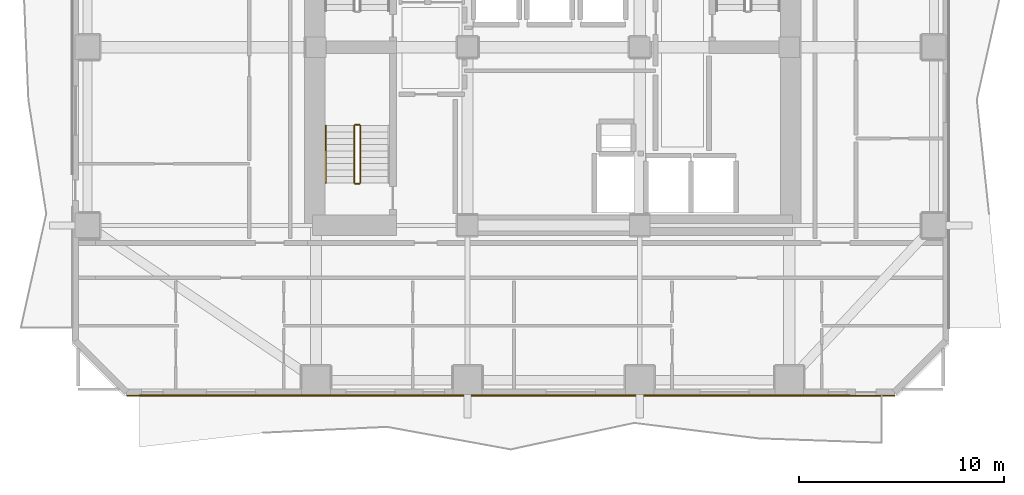
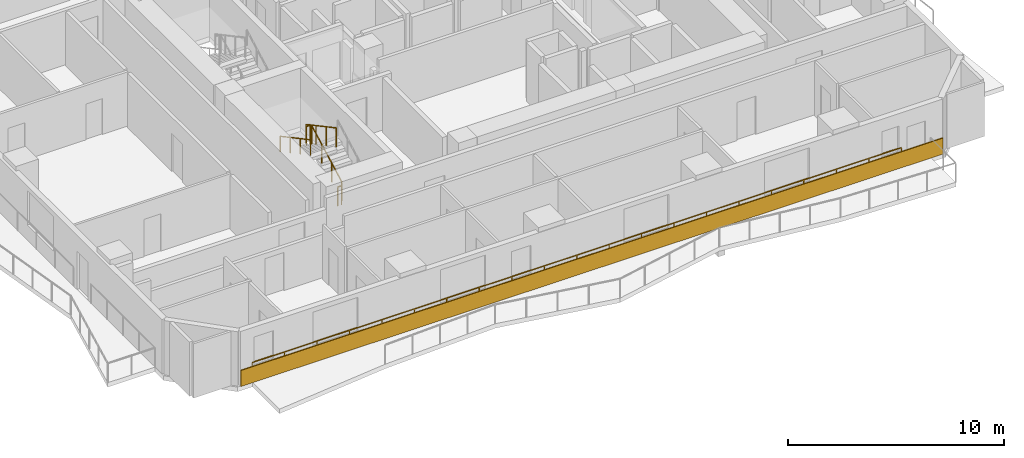
# One storey, part 8 of 12: 6 railings, 1 covering.
"""IFC4 building model written with IfcOpenShell, lengths in metres."""

from ifc_helpers import new_model, si_unit, direction, frame, frame_2d, origin, origin_2d, place, context, subcontext, project, spatial, rectangle, extrude, material, layer, layer_set, type_object, element, save


model = new_model("IFC4")

# Units and contexts
model_context = context("Model", 3, precision=1e-05, world=origin(), true_north=direction((0.0, 1.0)))
body_context = subcontext(model_context, "Body", "Model", "MODEL_VIEW")
ifc_project = project(units=[si_unit("LENGTHUNIT", "METRE"), si_unit("AREAUNIT", "SQUARE_METRE"), si_unit("VOLUMEUNIT", "CUBIC_METRE"), si_unit("PLANEANGLEUNIT", "RADIAN"), si_unit("MASSUNIT", "GRAM", prefix="KILO")], contexts=[model_context])

# Site, building, storey
site_placement = place(None, origin())
site = spatial("IfcSite", under=ifc_project, at=site_placement, CompositionType="ELEMENT")
building_placement = place(site_placement, origin())
building = spatial("IfcBuilding", under=site, at=building_placement, Name="Solanera Arch Residences", CompositionType="ELEMENT")
storey_placement = place(building_placement, frame((0.0, 0.0, 96.1201171875)))
storey = spatial("IfcBuildingStorey", under=building, at=storey_placement, Name="L27", CompositionType="ELEMENT", Elevation=96.1201171875)

# Railing
ifc_material_1 = material(Name="Steel S355 (ASTM A992 / A572 Grade 50)", Category="steel")
railing_type_1 = type_object("IfcRailingType", Name="Balustrade Railing BL-1100", PredefinedType="BALUSTRADE", material=ifc_material_1)
railing_1_placement = place(storey_placement, frame((39.43408203125, 13.719970703125, 0.0)))
element("IfcRailing", 1, at=railing_1_placement, inside=storey, type_object=railing_type_1, Name="L27 S Balcony Balustrade 2", PredefinedType="BALUSTRADE", context=body_context, shape_type="SweptSolid", body=[
    extrude(rectangle(XDim=0.048095703125, YDim=0.048095703125, at=origin_2d()), frame((0.0, 0.0, 1.09619140625), z_axis=(-1.0, 0.0, 0.0), x_axis=(0.0, -1.0, 0.0)), (0.0, 0.0, 1.0), 34.634033203125),
    extrude(rectangle(XDim=0.0419921875, YDim=0.0419921875, at=origin_2d()), origin(), (0.0, 0.0, 1.0), 1.072021484375),
    extrude(rectangle(XDim=0.0419921875, YDim=0.0419921875, at=origin_2d()), frame((-1.731689453125, 0.0, 0.0)), (0.0, 0.0, 1.0), 1.072021484375),
    extrude(rectangle(XDim=0.0419921875, YDim=0.0419921875, at=origin_2d()), frame((-3.46337890625, 0.0, 0.0)), (0.0, 0.0, 1.0), 1.072021484375),
    extrude(rectangle(XDim=0.0419921875, YDim=0.0419921875, at=origin_2d()), frame((-5.195068359375, 0.0, 0.0)), (0.0, 0.0, 1.0), 1.072021484375),
    extrude(rectangle(XDim=0.0419921875, YDim=0.0419921875, at=origin_2d()), frame((-6.9267578125, 0.0, 0.0)), (0.0, 0.0, 1.0), 1.072021484375),
    extrude(rectangle(XDim=0.0419921875, YDim=0.0419921875, at=origin_2d()), frame((-8.658447265625, 0.0, 0.0)), (0.0, 0.0, 1.0), 1.072021484375),
    extrude(rectangle(XDim=0.0419921875, YDim=0.0419921875, at=origin_2d()), frame((-10.39013671875, 0.0, 0.0)), (0.0, 0.0, 1.0), 1.072021484375),
    extrude(rectangle(XDim=0.0419921875, YDim=0.0419921875, at=origin_2d()), frame((-12.121826171875, 0.0, 0.0)), (0.0, 0.0, 1.0), 1.072021484375),
    extrude(rectangle(XDim=0.0419921875, YDim=0.0419921875, at=origin_2d()), frame((-13.853515625, 0.0, 0.0)), (0.0, 0.0, 1.0), 1.072021484375),
    extrude(rectangle(XDim=0.0419921875, YDim=0.0419921875, at=origin_2d()), frame((-15.585205078125, 0.0, 0.0)), (0.0, 0.0, 1.0), 1.072021484375),
    extrude(rectangle(XDim=0.0419921875, YDim=0.0419921875, at=origin_2d()), frame((-17.31689453125, 0.0, 0.0)), (0.0, 0.0, 1.0), 1.072021484375),
    extrude(rectangle(XDim=0.0419921875, YDim=0.0419921875, at=origin_2d()), frame((-19.048828125, 0.0, 0.0)), (0.0, 0.0, 1.0), 1.072021484375),
    extrude(rectangle(XDim=0.0419921875, YDim=0.0419921875, at=origin_2d()), frame((-20.780517578125, 0.0, 0.0)), (0.0, 0.0, 1.0), 1.072021484375),
    extrude(rectangle(XDim=0.0419921875, YDim=0.0419921875, at=origin_2d()), frame((-22.51220703125, 0.0, 0.0)), (0.0, 0.0, 1.0), 1.072021484375),
    extrude(rectangle(XDim=0.0419921875, YDim=0.0419921875, at=origin_2d()), frame((-24.243896484375, 0.0, 0.0)), (0.0, 0.0, 1.0), 1.072021484375),
    extrude(rectangle(XDim=0.0419921875, YDim=0.0419921875, at=origin_2d()), frame((-25.9755859375, 0.0, 0.0)), (0.0, 0.0, 1.0), 1.072021484375),
    extrude(rectangle(XDim=0.0419921875, YDim=0.0419921875, at=origin_2d()), frame((-27.707275390625, 0.0, 0.0)), (0.0, 0.0, 1.0), 1.072021484375),
    extrude(rectangle(XDim=0.0419921875, YDim=0.0419921875, at=origin_2d()), frame((-29.43896484375, 0.0, 0.0)), (0.0, 0.0, 1.0), 1.072021484375),
    extrude(rectangle(XDim=0.0419921875, YDim=0.0419921875, at=origin_2d()), frame((-31.170654296875, 0.0, 0.0)), (0.0, 0.0, 1.0), 1.072021484375),
    extrude(rectangle(XDim=0.0419921875, YDim=0.0419921875, at=origin_2d()), frame((-32.90234375, 0.0, 0.0)), (0.0, 0.0, 1.0), 1.072021484375),
    extrude(rectangle(XDim=0.0419921875, YDim=0.0419921875, at=origin_2d()), frame((-34.634033203125, 0.0, 0.0)), (0.0, 0.0, 1.0), 1.072021484375),
])

# Covering
ifc_material_2 = material(Name="Philippine Adobe Travertine Cladding", Category="masonry")
ifc_layer = layer(ifc_material_2, 0.06005859375)
ifc_layer_set = layer_set([ifc_layer], Name="Philippine Adobe Travertine Cladding")
covering_type = type_object("IfcCoveringType", Name="Precast Pier Stone Cladding CLD-60", PredefinedType="CLADDING", material=ifc_layer_set)
covering_placement = place(storey_placement, frame((41.635009765625, 13.68505859375, 0.0), z_axis=(0.0, 0.0, 1.0), x_axis=(-1.0, 0.0, 0.0)))
element("IfcCovering", 2, at=covering_placement, inside=storey, type_object=covering_type, Name="L27 S Precast Spandrel Stone Band", PredefinedType="CLADDING", context=body_context, shape_type="SweptSolid", body=[
    extrude(rectangle(XDim=37.469970703125, YDim=0.06005859375, at=frame_2d((18.73486328125, 0.0))), origin(), (0.0, 0.0, 1.0), 0.89990234375),
])

# Railings
ifc_material_3 = material(Name="Steel S355 (ASTM A992 / A572 Grade 50)", Category="steel")
railing_type_2 = type_object("IfcRailingType", Name="Stair Guardrail GR-1100", PredefinedType="GUARDRAIL", material=ifc_material_3)
railing_2_placement = place(storey_placement, frame((15.570068359375, 24.080078125, 0.15087890625)))
element("IfcRailing", 3, at=railing_2_placement, inside=storey, type_object=railing_type_2, Name="L27 ST-T3 stair guard 1", PredefinedType="GUARDRAIL", context=body_context, shape_type="SweptSolid", body=[
    extrude(rectangle(XDim=0.048095703125, YDim=0.048095703125, at=origin_2d()), frame((0.0, 0.0, 1.076171875), z_axis=(0.0, 0.881580869306, 0.472033018838), x_axis=(-1.0, 0.0, 0.0)), (0.0, 0.0, 1.0), 3.164794921875),
    extrude(rectangle(XDim=0.0419921875, YDim=0.0419921875, at=origin_2d()), origin(), (0.0, 0.0, 1.0), 1.052001953125),
    extrude(rectangle(XDim=0.0419921875, YDim=0.0419921875, at=origin_2d()), frame((0.0, 0.929931640625, 0.498046875)), (0.0, 0.0, 1.0), 1.052001953125),
    extrude(rectangle(XDim=0.0419921875, YDim=0.0419921875, at=origin_2d()), frame((0.0, 1.860107421875, 0.995849609375)), (0.0, 0.0, 1.0), 1.052001953125),
    extrude(rectangle(XDim=0.0419921875, YDim=0.0419921875, at=origin_2d()), frame((0.0, 2.7900390625, 1.493896484375)), (0.0, 0.0, 1.0), 1.052001953125),
])
railing_3_placement = place(storey_placement, frame((15.52001953125, 26.919921875, 1.644775390625)))
element("IfcRailing", 4, at=railing_3_placement, inside=storey, type_object=railing_type_2, Name="L27 ST-T3 stair guard 2", PredefinedType="GUARDRAIL", context=body_context, shape_type="SweptSolid", body=[
    extrude(rectangle(XDim=0.048095703125, YDim=0.048095703125, at=origin_2d()), frame((0.0, 0.0, 1.076171875), z_axis=(-1.0, 0.0, 0.0), x_axis=(0.0, -1.0, 0.0)), (0.0, 0.0, 1.0), 0.199951171875),
    extrude(rectangle(XDim=0.0419921875, YDim=0.0419921875, at=origin_2d()), origin(), (0.0, 0.0, 1.0), 1.052001953125),
    extrude(rectangle(XDim=0.0419921875, YDim=0.0419921875, at=origin_2d()), frame((-0.199951171875, 0.0, 0.0)), (0.0, 0.0, 1.0), 1.052001953125),
])
railing_4_placement = place(storey_placement, frame((15.27001953125, 26.8701171875, 1.810791015625)))
element("IfcRailing", 5, at=railing_4_placement, inside=storey, type_object=railing_type_2, Name="L27 ST-T3 stair guard 3", PredefinedType="GUARDRAIL", context=body_context, shape_type="SweptSolid", body=[
    extrude(rectangle(XDim=0.048095703125, YDim=0.048095703125, at=origin_2d()), frame((0.0, 0.0, 1.076171875), z_axis=(0.0, -0.881548766853, 0.472092969298), x_axis=(1.0, 0.0, 0.0)), (0.0, 0.0, 1.0), 3.1650390625),
    extrude(rectangle(XDim=0.0419921875, YDim=0.0419921875, at=origin_2d()), origin(), (0.0, 0.0, 1.0), 1.052001953125),
    extrude(rectangle(XDim=0.0419921875, YDim=0.0419921875, at=origin_2d()), frame((0.0, -0.929931640625, 0.498046875)), (0.0, 0.0, 1.0), 1.052001953125),
    extrude(rectangle(XDim=0.0419921875, YDim=0.0419921875, at=origin_2d()), frame((0.0, -1.860107421875, 0.99609375)), (0.0, 0.0, 1.0), 1.052001953125),
    extrude(rectangle(XDim=0.0419921875, YDim=0.0419921875, at=origin_2d()), frame((0.0, -2.7900390625, 1.494140625)), (0.0, 0.0, 1.0), 1.052001953125),
])
railing_5_placement = place(storey_placement, frame((15.52001953125, 24.030029296875, -0.01513671875)))
element("IfcRailing", 6, at=railing_5_placement, inside=storey, type_object=railing_type_2, Name="L27 ST-T3 stair guard 4", PredefinedType="GUARDRAIL", context=body_context, shape_type="SweptSolid", body=[
    extrude(rectangle(XDim=0.048095703125, YDim=0.048095703125, at=origin_2d()), frame((0.0, 0.0, 1.076171875), z_axis=(-1.0, 0.0, 0.0), x_axis=(0.0, -1.0, 0.0)), (0.0, 0.0, 1.0), 0.199951171875),
    extrude(rectangle(XDim=0.0419921875, YDim=0.0419921875, at=origin_2d()), origin(), (0.0, 0.0, 1.0), 1.052001953125),
    extrude(rectangle(XDim=0.0419921875, YDim=0.0419921875, at=origin_2d()), frame((-0.199951171875, 0.0, 0.0)), (0.0, 0.0, 1.0), 1.052001953125),
])
ifc_material_4 = material(Name="Steel S355 (ASTM A992 / A572 Grade 50)", Category="steel")
railing_type_3 = type_object("IfcRailingType", Name="Stair Wall Handrail HR-920", PredefinedType="HANDRAIL", material=ifc_material_4)
railing_6_placement = place(storey_placement, frame((13.889892578125, 26.8701171875, 1.825927734375)))
element("IfcRailing", 7, at=railing_6_placement, inside=storey, type_object=railing_type_3, Name="L27 ST-T3 stair handrail 2", PredefinedType="HANDRAIL", context=body_context, shape_type="SweptSolid", body=[
    extrude(rectangle(XDim=0.048095703125, YDim=0.048095703125, at=origin_2d()), frame((0.0, 0.0, 0.8759765625), z_axis=(0.0, -0.881580869306, 0.472033018838), x_axis=(1.0, 0.0, 0.0)), (0.0, 0.0, 1.0), 3.164794921875),
    extrude(rectangle(XDim=0.0419921875, YDim=0.0419921875, at=origin_2d()), origin(), (0.0, 0.0, 1.0), 0.851806640625),
    extrude(rectangle(XDim=0.0419921875, YDim=0.0419921875, at=origin_2d()), frame((0.0, -0.929931640625, 0.498046875)), (0.0, 0.0, 1.0), 0.851806640625),
    extrude(rectangle(XDim=0.0419921875, YDim=0.0419921875, at=origin_2d()), frame((0.0, -1.860107421875, 0.995849609375)), (0.0, 0.0, 1.0), 0.851806640625),
    extrude(rectangle(XDim=0.0419921875, YDim=0.0419921875, at=origin_2d()), frame((0.0, -2.7900390625, 1.493896484375)), (0.0, 0.0, 1.0), 0.851806640625),
])

save(model, "model.ifc")
